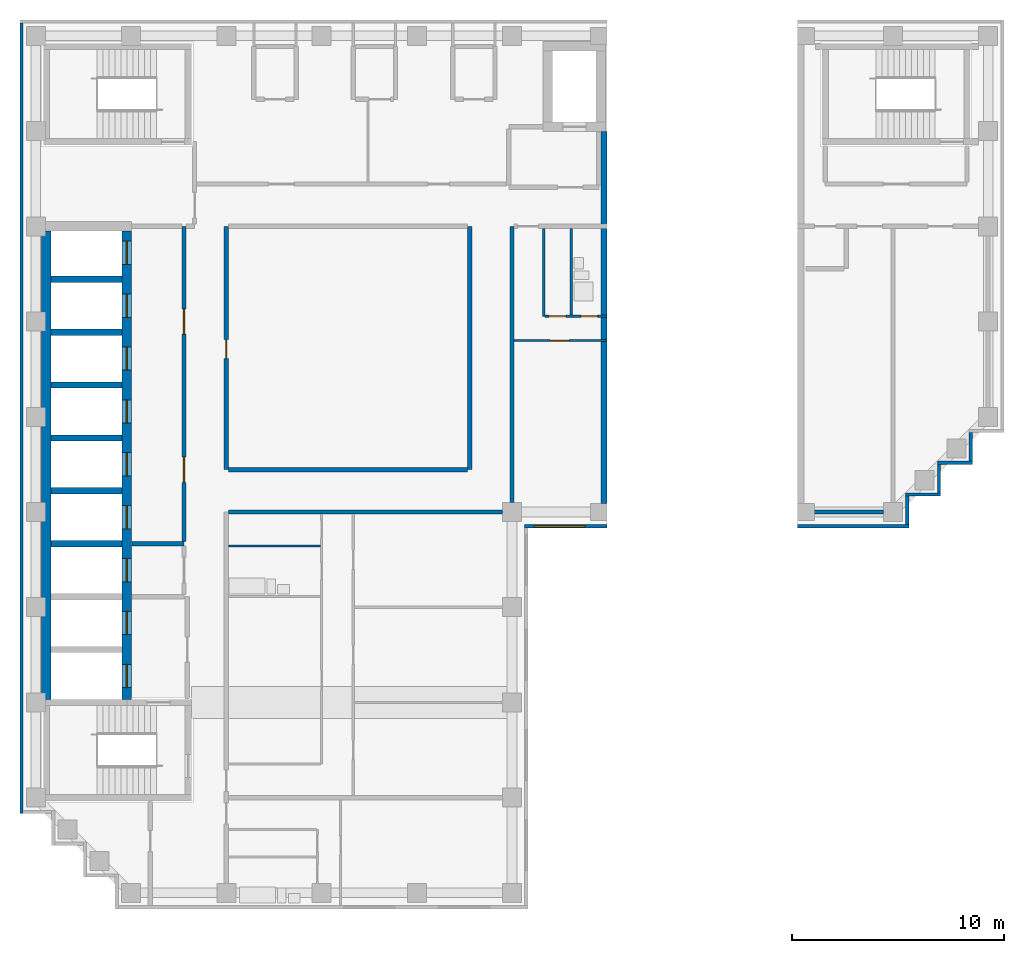
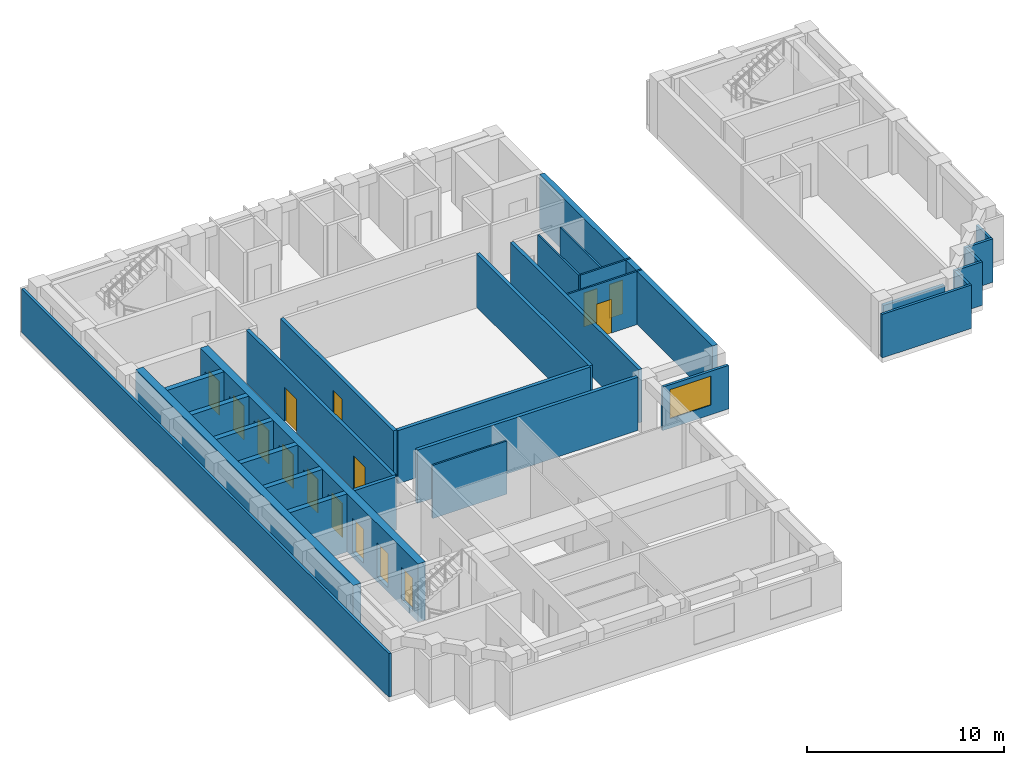
# One storey, part 3 of 7: 30 walls, 15 doors, 1 window, 16 openings.
"""IFC4 building model written with IfcOpenShell, lengths in metres."""

from ifc_helpers import new_model, si_unit, direction, frame, frame_2d, origin, place, context, subcontext, project, spatial, rectangle, extrude, material, layer, layer_set, type_object, element, fill, save


model = new_model("IFC4")

# Units and contexts
model_context = context("Model", 3, precision=1e-05, world=origin(), true_north=direction((0.0, 1.0)))
body_context = subcontext(model_context, "Body", "Model", "MODEL_VIEW")
ifc_project = project(units=[si_unit("LENGTHUNIT", "METRE"), si_unit("AREAUNIT", "SQUARE_METRE"), si_unit("VOLUMEUNIT", "CUBIC_METRE"), si_unit("PLANEANGLEUNIT", "RADIAN"), si_unit("MASSUNIT", "GRAM", prefix="KILO")], contexts=[model_context])

# Site, building, storey
site_placement = place(None, origin())
site = spatial("IfcSite", under=ifc_project, at=site_placement, CompositionType="ELEMENT")
building_placement = place(site_placement, origin())
building = spatial("IfcBuilding", under=site, at=building_placement, Name="Firuza Court", CompositionType="ELEMENT")
storey_placement = place(building_placement, frame((0.0, 0.0, 243.800048828125)))
storey = spatial("IfcBuildingStorey", under=building, at=storey_placement, Name="L63", CompositionType="ELEMENT", Elevation=243.800048828125)

# Walls
ifc_material_1 = material(Name="Moisture-resistant gypsum board partition")
ifc_layer_1 = layer(ifc_material_1, 0.10009765625)
ifc_layer_set_1 = layer_set([ifc_layer_1], Name="Moisture-resistant gypsum board partition")
wall_type_1 = type_object("IfcWallType", Name="Bathroom partition 100", PredefinedType="PLUMBINGWALL", material=ifc_layer_set_1)
wall_1_placement = place(storey_placement, frame((9.10009765625, 34.39990234375, 0.0), z_axis=(0.0, 0.0, 1.0), x_axis=(1.0, 0.0, 0.0)))
element("IfcWall", 1, at=wall_1_placement, inside=storey, type_object=wall_type_1, Name="Bathroom partition 100 L63", PredefinedType="PLUMBINGWALL", context=body_context, shape_type="SweptSolid", body=[
    extrude(rectangle(XDim=4.349853515625, YDim=0.10009765625, at=frame_2d((2.1748046875, 0.0))), origin(), (0.0, 0.0, 1.0), 3.300048828125),
])
wall_2_placement = place(storey_placement, frame((25.300048828125, 45.300048828125, 0.0), z_axis=(0.0, 0.0, 1.0), x_axis=(0.0, 1.0, 0.0)))
element("IfcWall", 2, at=wall_2_placement, inside=storey, type_object=wall_type_1, Name="Bathroom partition 100 L63", PredefinedType="PLUMBINGWALL", context=body_context, shape_type="SweptSolid", body=[
    extrude(rectangle(XDim=4.099853515625, YDim=0.10009765625, at=frame_2d((2.0498046875, 0.0))), origin(), (0.0, 0.0, 1.0), 3.300048828125),
])
ifc_material_2 = material(Name="Concrete C50/60", Category="concrete")
ifc_layer_2 = layer(ifc_material_2, 0.300048828125)
ifc_layer_set_2 = layer_set([ifc_layer_2], Name="Concrete C50/60")
wall_type_2 = type_object("IfcWallType", Name="Core wall 300 C50/60", PredefinedType="SHEAR", material=ifc_layer_set_2)
for number, where, z_axis, x_axis, name in (
    (3, (0.72509765625, 34.5, -0.300048828125), (0.0, 0.0, 1.0), (1.0, 0.0, 0.0), "Core wall lift shaft L63"),
    (4, (0.72509765625, 37.0, -0.300048828125), (0.0, 0.0, 1.0), (1.0, 0.0, 0.0), "Core wall lift shaft L63"),
    (5, (0.72509765625, 39.5, -0.300048828125), (0.0, 0.0, 1.0), (1.0, 0.0, 0.0), "Core wall lift shaft L63"),
    (6, (0.72509765625, 42.0, -0.300048828125), (0.0, 0.0, 1.0), (1.0, 0.0, 0.0), "Core wall lift shaft L63"),
    (7, (0.72509765625, 44.5, -0.300048828125), (0.0, 0.0, 1.0), (1.0, 0.0, 0.0), "Core wall lift shaft L63"),
    (8, (0.72509765625, 47.0, -0.300048828125), (0.0, 0.0, 1.0), (1.0, 0.0, 0.0), "Core wall lift shaft L63"),
):
    element("IfcWall", number, at=place(storey_placement, frame(where, z_axis=z_axis, x_axis=x_axis)), inside=storey, type_object=wall_type_2, Name=name, PredefinedType="SHEAR", context=body_context, shape_type="SweptSolid", body=[
        extrude(rectangle(XDim=3.349853515625, YDim=0.300048828125, at=frame_2d((1.6748046875, 0.0))), origin(), (0.0, 0.0, 1.0), 3.60009765625),
    ])
ifc_layer_3 = layer(ifc_material_2, 0.449951171875)
ifc_layer_set_3 = layer_set([ifc_layer_3], Name="Concrete C50/60")
wall_type_3 = type_object("IfcWallType", Name="Core wall 450 C50/60", PredefinedType="SHEAR", material=ifc_layer_set_3)
wall_3_placement = place(storey_placement, frame((0.5, 27.14990234375, -0.300048828125), z_axis=(0.0, 0.0, 1.0), x_axis=(0.0, 1.0, 0.0)))
element("IfcWall", 9, at=wall_3_placement, inside=storey, type_object=wall_type_3, Name="Core wall lift shaft L63", PredefinedType="SHEAR", context=body_context, shape_type="SweptSolid", body=[
    extrude(rectangle(XDim=22.125, YDim=0.449951171875, at=frame_2d((11.0625, 0.0))), origin(), (0.0, 0.0, 1.0), 3.60009765625),
])

# Wall, openings, doors
wall_4_placement = place(storey_placement, frame((4.300048828125, 27.14990234375, -0.300048828125), z_axis=(0.0, 0.0, 1.0), x_axis=(0.0, 1.0, 0.0)))
wall_4 = element("IfcWall", 10, at=wall_4_placement, inside=storey, type_object=wall_type_3, Name="Core wall lift shaft L63", PredefinedType="SHEAR", context=body_context, shape_type="SweptSolid", body=[
    extrude(rectangle(XDim=22.125, YDim=0.449951171875, at=frame_2d((11.0625, 0.0))), origin(), (0.0, 0.0, 1.0), 3.60009765625),
])
opening_1_placement = place(wall_4_placement, frame((3.050048828125, 0.0, 0.300048828125)))
opening_1 = element("IfcOpeningElement", 11, at=opening_1_placement, cuts=wall_4, Name="Opening LD-FL1-63", PredefinedType="OPENING", context=body_context, shape_type="SweptSolid", body=[
    extrude(rectangle(XDim=1.10009765625, YDim=2.10009765625, at=frame_2d((0.550048828125, 1.050048828125))), frame((0.0, 0.23681640625, 0.0), z_axis=(0.0, -1.0, 0.0), x_axis=(1.0, 0.0, 0.0)), (0.0, 0.0, 1.0), 0.473876953125),
])
opening_2_placement = place(wall_4_placement, frame((0.550048828125, 0.0, 0.300048828125)))
opening_2 = element("IfcOpeningElement", 12, at=opening_2_placement, cuts=wall_4, Name="Opening LD-FL2-63", PredefinedType="OPENING", context=body_context, shape_type="SweptSolid", body=[
    extrude(rectangle(XDim=1.10009765625, YDim=2.10009765625, at=frame_2d((0.550048828125, 1.050048828125))), frame((0.0, 0.23681640625, 0.0), z_axis=(0.0, -1.0, 0.0), x_axis=(1.0, 0.0, 0.0)), (0.0, 0.0, 1.0), 0.473876953125),
])
opening_3_placement = place(wall_4_placement, frame((20.550048828125, 0.0, 0.300048828125)))
opening_3 = element("IfcOpeningElement", 13, at=opening_3_placement, cuts=wall_4, Name="Opening LD-HB1-63", PredefinedType="OPENING", context=body_context, shape_type="SweptSolid", body=[
    extrude(rectangle(XDim=1.10009765625, YDim=2.10009765625, at=frame_2d((0.550048828125, 1.050048828125))), frame((0.0, 0.23681640625, 0.0), z_axis=(0.0, -1.0, 0.0), x_axis=(1.0, 0.0, 0.0)), (0.0, 0.0, 1.0), 0.473876953125),
])
opening_4_placement = place(wall_4_placement, frame((18.050048828125, 0.0, 0.300048828125)))
opening_4 = element("IfcOpeningElement", 14, at=opening_4_placement, cuts=wall_4, Name="Opening LD-HB2-63", PredefinedType="OPENING", context=body_context, shape_type="SweptSolid", body=[
    extrude(rectangle(XDim=1.10009765625, YDim=2.10009765625, at=frame_2d((0.550048828125, 1.050048828125))), frame((0.0, 0.23681640625, 0.0), z_axis=(0.0, -1.0, 0.0), x_axis=(1.0, 0.0, 0.0)), (0.0, 0.0, 1.0), 0.473876953125),
])
opening_5_placement = place(wall_4_placement, frame((15.550048828125, 0.0, 0.300048828125)))
opening_5 = element("IfcOpeningElement", 15, at=opening_5_placement, cuts=wall_4, Name="Opening LD-HB3-63", PredefinedType="OPENING", context=body_context, shape_type="SweptSolid", body=[
    extrude(rectangle(XDim=1.10009765625, YDim=2.10009765625, at=frame_2d((0.550048828125, 1.050048828125))), frame((0.0, 0.23681640625, 0.0), z_axis=(0.0, -1.0, 0.0), x_axis=(1.0, 0.0, 0.0)), (0.0, 0.0, 1.0), 0.473876953125),
])
opening_6_placement = place(wall_4_placement, frame((13.050048828125, 0.0, 0.300048828125)))
opening_6 = element("IfcOpeningElement", 16, at=opening_6_placement, cuts=wall_4, Name="Opening LD-HB4-63", PredefinedType="OPENING", context=body_context, shape_type="SweptSolid", body=[
    extrude(rectangle(XDim=1.10009765625, YDim=2.10009765625, at=frame_2d((0.550048828125, 1.050048828125))), frame((0.0, 0.23681640625, 0.0), z_axis=(0.0, -1.0, 0.0), x_axis=(1.0, 0.0, 0.0)), (0.0, 0.0, 1.0), 0.473876953125),
])
opening_7_placement = place(wall_4_placement, frame((10.550048828125, 0.0, 0.300048828125)))
opening_7 = element("IfcOpeningElement", 17, at=opening_7_placement, cuts=wall_4, Name="Opening LD-HB5-63", PredefinedType="OPENING", context=body_context, shape_type="SweptSolid", body=[
    extrude(rectangle(XDim=1.10009765625, YDim=2.10009765625, at=frame_2d((0.550048828125, 1.050048828125))), frame((0.0, 0.23681640625, 0.0), z_axis=(0.0, -1.0, 0.0), x_axis=(1.0, 0.0, 0.0)), (0.0, 0.0, 1.0), 0.473876953125),
])
opening_8_placement = place(wall_4_placement, frame((8.050048828125, 0.0, 0.300048828125)))
opening_8 = element("IfcOpeningElement", 18, at=opening_8_placement, cuts=wall_4, Name="Opening LD-HB6-63", PredefinedType="OPENING", context=body_context, shape_type="SweptSolid", body=[
    extrude(rectangle(XDim=1.10009765625, YDim=2.10009765625, at=frame_2d((0.550048828125, 1.050048828125))), frame((0.0, 0.23681640625, 0.0), z_axis=(0.0, -1.0, 0.0), x_axis=(1.0, 0.0, 0.0)), (0.0, 0.0, 1.0), 0.473876953125),
])
opening_9_placement = place(wall_4_placement, frame((5.550048828125, 0.0, 0.300048828125)))
opening_9 = element("IfcOpeningElement", 19, at=opening_9_placement, cuts=wall_4, Name="Opening LD-SL1-63", PredefinedType="OPENING", context=body_context, shape_type="SweptSolid", body=[
    extrude(rectangle(XDim=1.10009765625, YDim=2.10009765625, at=frame_2d((0.550048828125, 1.050048828125))), frame((0.0, 0.23681640625, 0.0), z_axis=(0.0, -1.0, 0.0), x_axis=(1.0, 0.0, 0.0)), (0.0, 0.0, 1.0), 0.473876953125),
])
ifc_material_3 = material(Name="Stainless steel 1.4301 door leaf", Category="steel")
door_type_1 = type_object("IfcDoorType", Name="Lift landing door 1100", OperationType="SLIDING_TO_LEFT", PredefinedType="DOOR", material=ifc_material_3)
door_1_placement = place(opening_1_placement, origin())
door_1 = element("IfcDoor", 20, at=door_1_placement, inside=storey, type_object=door_type_1, Name="Landing door FL1", OperationType="SLIDING_TO_LEFT", OverallHeight=2.10009765625, OverallWidth=1.10009765625, PredefinedType="DOOR", context=body_context, shape_type="SweptSolid", body=[
    extrude(rectangle(XDim=1.10009765625, YDim=2.10009765625, at=frame_2d((0.550048828125, 1.050048828125))), frame((0.0, 0.02490234375, 0.0), z_axis=(0.0, -1.0, 0.0), x_axis=(1.0, 0.0, 0.0)), (0.0, 0.0, 1.0), 0.050048828125),
])
fill(opening_1, door_1)
door_2_placement = place(opening_2_placement, origin())
door_2 = element("IfcDoor", 21, at=door_2_placement, inside=storey, type_object=door_type_1, Name="Landing door FL2", OperationType="SLIDING_TO_LEFT", OverallHeight=2.10009765625, OverallWidth=1.10009765625, PredefinedType="DOOR", context=body_context, shape_type="SweptSolid", body=[
    extrude(rectangle(XDim=1.10009765625, YDim=2.10009765625, at=frame_2d((0.550048828125, 1.050048828125))), frame((0.0, 0.02490234375, 0.0), z_axis=(0.0, -1.0, 0.0), x_axis=(1.0, 0.0, 0.0)), (0.0, 0.0, 1.0), 0.050048828125),
])
fill(opening_2, door_2)
door_3_placement = place(opening_3_placement, origin())
door_3 = element("IfcDoor", 22, at=door_3_placement, inside=storey, type_object=door_type_1, Name="Landing door HB1", OperationType="SLIDING_TO_LEFT", OverallHeight=2.10009765625, OverallWidth=1.10009765625, PredefinedType="DOOR", context=body_context, shape_type="SweptSolid", body=[
    extrude(rectangle(XDim=1.10009765625, YDim=2.10009765625, at=frame_2d((0.550048828125, 1.050048828125))), frame((0.0, 0.02490234375, 0.0), z_axis=(0.0, -1.0, 0.0), x_axis=(1.0, 0.0, 0.0)), (0.0, 0.0, 1.0), 0.050048828125),
])
fill(opening_3, door_3)
door_4_placement = place(opening_4_placement, origin())
door_4 = element("IfcDoor", 23, at=door_4_placement, inside=storey, type_object=door_type_1, Name="Landing door HB2", OperationType="SLIDING_TO_LEFT", OverallHeight=2.10009765625, OverallWidth=1.10009765625, PredefinedType="DOOR", context=body_context, shape_type="SweptSolid", body=[
    extrude(rectangle(XDim=1.10009765625, YDim=2.10009765625, at=frame_2d((0.550048828125, 1.050048828125))), frame((0.0, 0.02490234375, 0.0), z_axis=(0.0, -1.0, 0.0), x_axis=(1.0, 0.0, 0.0)), (0.0, 0.0, 1.0), 0.050048828125),
])
fill(opening_4, door_4)
door_5_placement = place(opening_5_placement, origin())
door_5 = element("IfcDoor", 24, at=door_5_placement, inside=storey, type_object=door_type_1, Name="Landing door HB3", OperationType="SLIDING_TO_LEFT", OverallHeight=2.10009765625, OverallWidth=1.10009765625, PredefinedType="DOOR", context=body_context, shape_type="SweptSolid", body=[
    extrude(rectangle(XDim=1.10009765625, YDim=2.10009765625, at=frame_2d((0.550048828125, 1.050048828125))), frame((0.0, 0.02490234375, 0.0), z_axis=(0.0, -1.0, 0.0), x_axis=(1.0, 0.0, 0.0)), (0.0, 0.0, 1.0), 0.050048828125),
])
fill(opening_5, door_5)
door_6_placement = place(opening_6_placement, origin())
door_6 = element("IfcDoor", 25, at=door_6_placement, inside=storey, type_object=door_type_1, Name="Landing door HB4", OperationType="SLIDING_TO_LEFT", OverallHeight=2.10009765625, OverallWidth=1.10009765625, PredefinedType="DOOR", context=body_context, shape_type="SweptSolid", body=[
    extrude(rectangle(XDim=1.10009765625, YDim=2.10009765625, at=frame_2d((0.550048828125, 1.050048828125))), frame((0.0, 0.02490234375, 0.0), z_axis=(0.0, -1.0, 0.0), x_axis=(1.0, 0.0, 0.0)), (0.0, 0.0, 1.0), 0.050048828125),
])
fill(opening_6, door_6)
door_7_placement = place(opening_7_placement, origin())
door_7 = element("IfcDoor", 26, at=door_7_placement, inside=storey, type_object=door_type_1, Name="Landing door HB5", OperationType="SLIDING_TO_LEFT", OverallHeight=2.10009765625, OverallWidth=1.10009765625, PredefinedType="DOOR", context=body_context, shape_type="SweptSolid", body=[
    extrude(rectangle(XDim=1.10009765625, YDim=2.10009765625, at=frame_2d((0.550048828125, 1.050048828125))), frame((0.0, 0.02490234375, 0.0), z_axis=(0.0, -1.0, 0.0), x_axis=(1.0, 0.0, 0.0)), (0.0, 0.0, 1.0), 0.050048828125),
])
fill(opening_7, door_7)
door_8_placement = place(opening_8_placement, origin())
door_8 = element("IfcDoor", 27, at=door_8_placement, inside=storey, type_object=door_type_1, Name="Landing door HB6", OperationType="SLIDING_TO_LEFT", OverallHeight=2.10009765625, OverallWidth=1.10009765625, PredefinedType="DOOR", context=body_context, shape_type="SweptSolid", body=[
    extrude(rectangle(XDim=1.10009765625, YDim=2.10009765625, at=frame_2d((0.550048828125, 1.050048828125))), frame((0.0, 0.02490234375, 0.0), z_axis=(0.0, -1.0, 0.0), x_axis=(1.0, 0.0, 0.0)), (0.0, 0.0, 1.0), 0.050048828125),
])
fill(opening_8, door_8)
door_9_placement = place(opening_9_placement, origin())
door_9 = element("IfcDoor", 28, at=door_9_placement, inside=storey, type_object=door_type_1, Name="Landing door SL1", OperationType="SLIDING_TO_LEFT", OverallHeight=2.10009765625, OverallWidth=1.10009765625, PredefinedType="DOOR", context=body_context, shape_type="SweptSolid", body=[
    extrude(rectangle(XDim=1.10009765625, YDim=2.10009765625, at=frame_2d((0.550048828125, 1.050048828125))), frame((0.0, 0.02490234375, 0.0), z_axis=(0.0, -1.0, 0.0), x_axis=(1.0, 0.0, 0.0)), (0.0, 0.0, 1.0), 0.050048828125),
])
fill(opening_9, door_9)

# Wall, opening, door
ifc_material_4 = material(Name="Blockwork, plastered both sides", Category="masonry")
ifc_layer_4 = layer(ifc_material_4, 0.199951171875)
ifc_layer_set_4 = layer_set([ifc_layer_4], Name="Blockwork, plastered both sides")
wall_type_4 = type_object("IfcWallType", Name="Corridor wall 200", PredefinedType="PARTITIONING", material=ifc_layer_set_4)
wall_5_placement = place(storey_placement, frame((9.0, 38.0, 0.0), z_axis=(0.0, 0.0, 1.0), x_axis=(0.0, 1.0, 0.0)))
wall_5 = element("IfcWall", 29, at=wall_5_placement, inside=storey, type_object=wall_type_4, Name="Corridor wall 200 L63", PredefinedType="PARTITIONING", context=body_context, shape_type="SweptSolid", body=[
    extrude(rectangle(XDim=11.5, YDim=0.199951171875, at=frame_2d((5.75, 0.0))), origin(), (0.0, 0.0, 1.0), 3.300048828125),
])
opening_10_placement = place(wall_5_placement, frame((5.25, 0.0, 0.0)))
opening_10 = element("IfcOpeningElement", 30, at=opening_10_placement, cuts=wall_5, Name="Opening D63024", PredefinedType="OPENING", context=body_context, shape_type="SweptSolid", body=[
    extrude(rectangle(XDim=0.89990234375, YDim=2.10009765625, at=frame_2d((0.449951171875, 1.050048828125))), frame((0.0, 0.11181640625, 0.0), z_axis=(0.0, -1.0, 0.0), x_axis=(1.0, 0.0, 0.0)), (0.0, 0.0, 1.0), 0.223876953125),
])
ifc_material_5 = material(Name="Timber door leaf in hardwood frame", Category="wood")
door_type_2 = type_object("IfcDoorType", Name="Room door 900 EI 30", OperationType="SINGLE_SWING_LEFT", PredefinedType="DOOR", material=ifc_material_5)
door_10_placement = place(opening_10_placement, origin())
door_10 = element("IfcDoor", 31, at=door_10_placement, inside=storey, type_object=door_type_2, Name="Residents' club lounge door", OperationType="SINGLE_SWING_LEFT", OverallHeight=2.10009765625, OverallWidth=0.89990234375, PredefinedType="DOOR", context=body_context, shape_type="SweptSolid", body=[
    extrude(rectangle(XDim=0.89990234375, YDim=2.10009765625, at=frame_2d((0.449951171875, 1.050048828125))), frame((0.0, 0.02490234375, 0.0), z_axis=(0.0, -1.0, 0.0), x_axis=(1.0, 0.0, 0.0)), (0.0, 0.0, 1.0), 0.050048828125),
])
fill(opening_10, door_10)

# Walls
wall_6_placement = place(storey_placement, frame((9.10009765625, 38.0, 0.0), z_axis=(0.0, 0.0, 1.0), x_axis=(1.0, 0.0, 0.0)))
element("IfcWall", 32, at=wall_6_placement, inside=storey, type_object=wall_type_4, Name="Corridor wall 200 L63", PredefinedType="PARTITIONING", context=body_context, shape_type="SweptSolid", body=[
    extrude(rectangle(XDim=11.2998046875, YDim=0.199951171875, at=frame_2d((5.64990234375, 0.0))), origin(), (0.0, 0.0, 1.0), 3.300048828125),
])
wall_7_placement = place(storey_placement, frame((20.5, 38.0, 0.0), z_axis=(0.0, 0.0, 1.0), x_axis=(0.0, 1.0, 0.0)))
element("IfcWall", 33, at=wall_7_placement, inside=storey, type_object=wall_type_4, Name="Corridor wall 200 L63", PredefinedType="PARTITIONING", context=body_context, shape_type="SweptSolid", body=[
    extrude(rectangle(XDim=11.5, YDim=0.199951171875, at=frame_2d((5.75, 0.0))), origin(), (0.0, 0.0, 1.0), 3.300048828125),
])

# Wall, opening, door
ifc_material_6 = material(Name="Timber stud partition, plasterboard both sides", Category="wood")
ifc_layer_5 = layer(ifc_material_6, 0.10009765625)
ifc_layer_set_5 = layer_set([ifc_layer_5], Name="Timber stud partition, plasterboard both sides")
wall_type_5 = type_object("IfcWallType", Name="Partition wall 100", PredefinedType="PARTITIONING", material=ifc_layer_set_5)
wall_8_placement = place(storey_placement, frame((22.60009765625, 44.10009765625, 0.0), z_axis=(0.0, 0.0, 1.0), x_axis=(1.0, 0.0, 0.0)))
wall_8 = element("IfcWall", 34, at=wall_8_placement, inside=storey, type_object=wall_type_5, Name="Partition wall 100 L63", PredefinedType="PARTITIONING", context=body_context, shape_type="SweptSolid", body=[
    extrude(rectangle(XDim=4.39990234375, YDim=0.10009765625, at=frame_2d((2.199951171875, 0.0))), origin(), (0.0, 0.0, 1.0), 3.300048828125),
])
opening_11_placement = place(wall_8_placement, frame((1.699951171875, 0.0, 0.0)))
opening_11 = element("IfcOpeningElement", 35, at=opening_11_placement, cuts=wall_8, Name="Opening D63025", PredefinedType="OPENING", context=body_context, shape_type="SweptSolid", body=[
    extrude(rectangle(XDim=0.89990234375, YDim=2.10009765625, at=frame_2d((0.449951171875, 1.050048828125))), frame((0.0, 0.06201171875, 0.0), z_axis=(0.0, -1.0, 0.0), x_axis=(1.0, 0.0, 0.0)), (0.0, 0.0, 1.0), 0.1240234375),
])
ifc_material_7 = material(Name="Timber door leaf in hardwood frame", Category="wood")
door_type_3 = type_object("IfcDoorType", Name="Room door 900", OperationType="SINGLE_SWING_LEFT", PredefinedType="DOOR", material=ifc_material_7)
door_11_placement = place(opening_11_placement, frame((0.89990234375, 0.0, 0.0), z_axis=(0.0, 0.0, 1.0), x_axis=(-1.0, 0.0, 0.0)))
door_11 = element("IfcDoor", 36, at=door_11_placement, inside=storey, type_object=door_type_3, Name="Studio room door", OperationType="SINGLE_SWING_LEFT", OverallHeight=2.10009765625, OverallWidth=0.89990234375, PredefinedType="DOOR", context=body_context, shape_type="SweptSolid", body=[
    extrude(rectangle(XDim=0.89990234375, YDim=2.10009765625, at=frame_2d((0.449951171875, 1.050048828125))), frame((0.0, 0.02490234375, 0.0), z_axis=(0.0, -1.0, 0.0), x_axis=(1.0, 0.0, 0.0)), (0.0, 0.0, 1.0), 0.050048828125),
])
fill(opening_11, door_11)

# Wall
wall_9_placement = place(storey_placement, frame((24.0, 45.25, 0.0), z_axis=(0.0, 0.0, 1.0), x_axis=(0.0, 1.0, 0.0)))
element("IfcWall", 37, at=wall_9_placement, inside=storey, type_object=wall_type_5, Name="Partition wall 100 L63", PredefinedType="PARTITIONING", context=body_context, shape_type="SweptSolid", body=[
    extrude(rectangle(XDim=4.14990234375, YDim=0.10009765625, at=frame_2d((2.074951171875, 0.0))), origin(), (0.0, 0.0, 1.0), 3.300048828125),
])

# Wall, openings, doors
wall_10_placement = place(storey_placement, frame((24.050048828125, 45.25, 0.0), z_axis=(0.0, 0.0, 1.0), x_axis=(1.0, 0.0, 0.0)))
wall_10 = element("IfcWall", 38, at=wall_10_placement, inside=storey, type_object=wall_type_5, Name="Partition wall 100 L63", PredefinedType="PARTITIONING", context=body_context, shape_type="SweptSolid", body=[
    extrude(rectangle(XDim=2.949951171875, YDim=0.10009765625, at=frame_2d((1.47509765625, 0.0))), origin(), (0.0, 0.0, 1.0), 3.300048828125),
])
opening_12_placement = place(wall_10_placement, frame((1.699951171875, 0.0, 0.0)))
opening_12 = element("IfcOpeningElement", 39, at=opening_12_placement, cuts=wall_10, Name="Opening D63026", PredefinedType="OPENING", context=body_context, shape_type="SweptSolid", body=[
    extrude(rectangle(XDim=0.800048828125, YDim=2.10009765625, at=frame_2d((0.39990234375, 1.050048828125))), frame((0.0, 0.06201171875, 0.0), z_axis=(0.0, -1.0, 0.0), x_axis=(1.0, 0.0, 0.0)), (0.0, 0.0, 1.0), 0.1240234375),
])
opening_13_placement = place(wall_10_placement, frame((0.199951171875, 0.0, 0.0)))
opening_13 = element("IfcOpeningElement", 40, at=opening_13_placement, cuts=wall_10, Name="Opening D63027", PredefinedType="OPENING", context=body_context, shape_type="SweptSolid", body=[
    extrude(rectangle(XDim=0.800048828125, YDim=2.10009765625, at=frame_2d((0.39990234375, 1.050048828125))), frame((0.0, 0.06201171875, 0.0), z_axis=(0.0, -1.0, 0.0), x_axis=(1.0, 0.0, 0.0)), (0.0, 0.0, 1.0), 0.1240234375),
])
ifc_material_8 = material(Name="Timber door leaf in hardwood frame", Category="wood")
door_type_4 = type_object("IfcDoorType", Name="Bathroom door 800", OperationType="SINGLE_SWING_LEFT", PredefinedType="DOOR", material=ifc_material_8)
door_12_placement = place(opening_12_placement, origin())
door_12 = element("IfcDoor", 41, at=door_12_placement, inside=storey, type_object=door_type_4, Name="Bathroom door", OperationType="SINGLE_SWING_RIGHT", OverallHeight=2.10009765625, OverallWidth=0.800048828125, PredefinedType="DOOR", context=body_context, shape_type="SweptSolid", body=[
    extrude(rectangle(XDim=0.800048828125, YDim=2.10009765625, at=frame_2d((0.39990234375, 1.050048828125))), frame((0.0, 0.02490234375, 0.0), z_axis=(0.0, -1.0, 0.0), x_axis=(1.0, 0.0, 0.0)), (0.0, 0.0, 1.0), 0.050048828125),
])
fill(opening_12, door_12)
ifc_material_9 = material(Name="Timber door leaf in hardwood frame", Category="wood")
door_type_5 = type_object("IfcDoorType", Name="Room door 800", OperationType="SINGLE_SWING_LEFT", PredefinedType="DOOR", material=ifc_material_9)
door_13_placement = place(opening_13_placement, origin())
door_13 = element("IfcDoor", 42, at=door_13_placement, inside=storey, type_object=door_type_5, Name="Kitchen door", OperationType="SINGLE_SWING_LEFT", OverallHeight=2.10009765625, OverallWidth=0.800048828125, PredefinedType="DOOR", context=body_context, shape_type="SweptSolid", body=[
    extrude(rectangle(XDim=0.800048828125, YDim=2.10009765625, at=frame_2d((0.39990234375, 1.050048828125))), frame((0.0, 0.02490234375, 0.0), z_axis=(0.0, -1.0, 0.0), x_axis=(1.0, 0.0, 0.0)), (0.0, 0.0, 1.0), 0.050048828125),
])
fill(opening_13, door_13)

# Walls
ifc_layer_6 = layer(ifc_material_4, 0.199951171875)
ifc_layer_set_6 = layer_set([ifc_layer_6], Name="Blockwork, plastered both sides")
wall_type_6 = type_object("IfcWallType", Name="Party wall 200", PredefinedType="PARTITIONING", material=ifc_layer_set_6)
wall_11_placement = place(storey_placement, frame((9.10009765625, 36.0, 0.0), z_axis=(0.0, 0.0, 1.0), x_axis=(1.0, 0.0, 0.0)))
element("IfcWall", 43, at=wall_11_placement, inside=storey, type_object=wall_type_6, Name="Party wall 200 L63", PredefinedType="PARTITIONING", context=body_context, shape_type="SweptSolid", body=[
    extrude(rectangle(XDim=12.949951171875, YDim=0.199951171875, at=frame_2d((6.47509765625, 0.0))), origin(), (0.0, 0.0, 1.0), 3.300048828125),
])
wall_12_placement = place(storey_placement, frame((22.5, 36.449951171875, 0.0), z_axis=(0.0, 0.0, 1.0), x_axis=(0.0, 1.0, 0.0)))
element("IfcWall", 44, at=wall_12_placement, inside=storey, type_object=wall_type_6, Name="Party wall 200 L63", PredefinedType="PARTITIONING", context=body_context, shape_type="SweptSolid", body=[
    extrude(rectangle(XDim=13.050048828125, YDim=0.199951171875, at=frame_2d((6.52490234375, 0.0))), origin(), (0.0, 0.0, 1.0), 3.300048828125),
])
ifc_material_10 = material(Name="Blockwork, fire-rated", Category="masonry")
ifc_layer_7 = layer(ifc_material_10, 0.199951171875)
ifc_layer_set_7 = layer_set([ifc_layer_7], Name="Blockwork, fire-rated")
wall_type_7 = type_object("IfcWallType", Name="Plant room wall 200", PredefinedType="PARTITIONING", material=ifc_layer_set_7)
wall_13_placement = place(storey_placement, frame((36.449951171875, 36.0, 0.0), z_axis=(0.0, 0.0, 1.0), x_axis=(1.0, 0.0, 0.0)))
element("IfcWall", 45, at=wall_13_placement, inside=storey, type_object=wall_type_7, Name="Plant room wall 200 L63", PredefinedType="PARTITIONING", context=body_context, shape_type="SweptSolid", body=[
    extrude(rectangle(XDim=3.60009765625, YDim=0.199951171875, at=frame_2d((1.800048828125, 0.0))), origin(), (0.0, 0.0, 1.0), 2.699951171875),
])
ifc_material_11 = material(Name="Ceramic tile", Category="ceramic")
ifc_layer_8 = layer(ifc_material_11, 0.02001953125)
ifc_material_12 = material(Name="Mineral wool insulation", Category="insulation")
ifc_layer_9 = layer(ifc_material_12, 0.1298828125)
ifc_material_13 = material(Name="Concrete C40/50 precast", Category="concrete")
ifc_layer_10 = layer(ifc_material_13, 0.14990234375)
ifc_layer_set_8 = layer_set([ifc_layer_8, ifc_layer_9, ifc_layer_10], Name="Concrete C40/50 precast")
wall_type_8 = type_object("IfcWallType", Name="Portal reveal wall 300", PredefinedType="STANDARD", material=ifc_layer_set_8)
wall_14_placement = place(storey_placement, frame((26.85009765625, 36.39990234375, 0.0), z_axis=(0.0, 0.0, 1.0), x_axis=(0.0, 1.0, 0.0)))
element("IfcWall", 46, at=wall_14_placement, inside=storey, type_object=wall_type_8, Name="Portal reveal wall L63 W", PredefinedType="STANDARD", context=body_context, shape_type="SweptSolid", body=[
    extrude(rectangle(XDim=17.5751953125, YDim=0.300048828125, at=frame_2d((8.78759765625, 0.0))), origin(), (0.0, 0.0, 1.0), 3.300048828125),
])

# Wall, opening, window
ifc_layer_11 = layer(ifc_material_11, 0.02001953125)
ifc_layer_12 = layer(ifc_material_12, 0.050048828125)
ifc_layer_13 = layer(ifc_material_13, 0.080078125)
ifc_layer_set_9 = layer_set([ifc_layer_11, ifc_layer_12, ifc_layer_13], Name="Concrete C40/50 precast")
wall_type_9 = type_object("IfcWallType", Name="Precast cladding wall with turquoise TILE PANEL face 150", PredefinedType="STANDARD", material=ifc_layer_set_9)
wall_15_placement = place(storey_placement, frame((23.10009765625, 35.324951171875, 0.0), z_axis=(0.0, 0.0, 1.0), x_axis=(1.0, 0.0, 0.0)))
wall_15 = element("IfcWall", 47, at=wall_15_placement, inside=storey, type_object=wall_type_9, Name="Facade wall L63 S", PredefinedType="STANDARD", context=body_context, shape_type="SweptSolid", body=[
    extrude(rectangle(XDim=3.89990234375, YDim=0.14990234375, at=frame_2d((1.949951171875, 0.0))), origin(), (0.0, 0.0, 1.0), 2.699951171875),
])
opening_14_placement = place(wall_15_placement, frame((0.449951171875, 0.0, 0.60009765625)))
opening_14 = element("IfcOpeningElement", 48, at=opening_14_placement, cuts=wall_15, Name="Opening W1", PredefinedType="OPENING", context=body_context, shape_type="SweptSolid", body=[
    extrude(rectangle(XDim=2.39990234375, YDim=1.800048828125, at=frame_2d((1.199951171875, 0.89990234375))), frame((0.0, 0.0869140625, 0.0), z_axis=(0.0, -1.0, 0.0), x_axis=(1.0, 0.0, 0.0)), (0.0, 0.0, 1.0), 0.173828125),
])
ifc_material_14 = material(Name="Aluminium frame, triple clear glazing", Category="aluminium")
window_type = type_object("IfcWindowType", Name="Window W1 2400 x 1800", PartitioningType="SINGLE_PANEL", PredefinedType="WINDOW", material=ifc_material_14)
window_placement = place(opening_14_placement, origin())
window = element("IfcWindow", 49, at=window_placement, inside=storey, type_object=window_type, Name="Window L63", OverallHeight=1.800048828125, OverallWidth=2.39990234375, PartitioningType="SINGLE_PANEL", PredefinedType="WINDOW", context=body_context, shape_type="SweptSolid", body=[
    extrude(rectangle(XDim=2.39990234375, YDim=1.800048828125, at=frame_2d((1.199951171875, 0.89990234375))), frame((0.0, 0.030029296875, 0.0), z_axis=(0.0, -1.0, 0.0), x_axis=(1.0, 0.0, 0.0)), (0.0, 0.0, 1.0), 0.06005859375),
])
fill(opening_14, window)

# Walls
wall_16_placement = place(storey_placement, frame((36.0, 35.324951171875, 0.0), z_axis=(0.0, 0.0, 1.0), x_axis=(1.0, 0.0, 0.0)))
element("IfcWall", 50, at=wall_16_placement, inside=storey, type_object=wall_type_9, Name="Facade wall L63 S", PredefinedType="STANDARD", context=body_context, shape_type="SweptSolid", body=[
    extrude(rectangle(XDim=5.25, YDim=0.14990234375, at=frame_2d((2.625, 0.0))), origin(), (0.0, 0.0, 1.0), 2.699951171875),
])
wall_17_placement = place(storey_placement, frame((41.175048828125, 35.39990234375, 0.0), z_axis=(0.0, 0.0, 1.0), x_axis=(0.0, 1.0, 0.0)))
element("IfcWall", 51, at=wall_17_placement, inside=storey, type_object=wall_type_9, Name="Facade wall L63 E", PredefinedType="STANDARD", context=body_context, shape_type="SweptSolid", body=[
    extrude(rectangle(XDim=1.35009765625, YDim=0.14990234375, at=frame_2d((0.675048828125, 0.0))), origin(), (0.0, 0.0, 1.0), 2.699951171875),
])
wall_18_placement = place(storey_placement, frame((41.10009765625, 36.824951171875, 0.0), z_axis=(0.0, 0.0, 1.0), x_axis=(1.0, 0.0, 0.0)))
element("IfcWall", 52, at=wall_18_placement, inside=storey, type_object=wall_type_9, Name="Facade wall L63 S", PredefinedType="STANDARD", context=body_context, shape_type="SweptSolid", body=[
    extrude(rectangle(XDim=1.64990234375, YDim=0.14990234375, at=frame_2d((0.824951171875, 0.0))), origin(), (0.0, 0.0, 1.0), 2.699951171875),
])
wall_19_placement = place(storey_placement, frame((42.675048828125, 36.89990234375, 0.0), z_axis=(0.0, 0.0, 1.0), x_axis=(0.0, 1.0, 0.0)))
element("IfcWall", 53, at=wall_19_placement, inside=storey, type_object=wall_type_9, Name="Facade wall L63 E", PredefinedType="STANDARD", context=body_context, shape_type="SweptSolid", body=[
    extrude(rectangle(XDim=1.35009765625, YDim=0.14990234375, at=frame_2d((0.675048828125, 0.0))), origin(), (0.0, 0.0, 1.0), 2.699951171875),
])
wall_20_placement = place(storey_placement, frame((42.60009765625, 38.324951171875, 0.0), z_axis=(0.0, 0.0, 1.0), x_axis=(1.0, 0.0, 0.0)))
element("IfcWall", 54, at=wall_20_placement, inside=storey, type_object=wall_type_9, Name="Facade wall L63 S", PredefinedType="STANDARD", context=body_context, shape_type="SweptSolid", body=[
    extrude(rectangle(XDim=1.64990234375, YDim=0.14990234375, at=frame_2d((0.824951171875, 0.0))), origin(), (0.0, 0.0, 1.0), 2.699951171875),
])
wall_21_placement = place(storey_placement, frame((44.175048828125, 38.39990234375, 0.0), z_axis=(0.0, 0.0, 1.0), x_axis=(0.0, 1.0, 0.0)))
element("IfcWall", 55, at=wall_21_placement, inside=storey, type_object=wall_type_9, Name="Facade wall L63 E", PredefinedType="STANDARD", context=body_context, shape_type="SweptSolid", body=[
    extrude(rectangle(XDim=1.35009765625, YDim=0.14990234375, at=frame_2d((0.675048828125, 0.0))), origin(), (0.0, 0.0, 1.0), 2.699951171875),
])
wall_22_placement = place(storey_placement, frame((-0.675048828125, 59.10009765625, 0.0), z_axis=(0.0, 0.0, 1.0), x_axis=(0.0, -1.0, 0.0)))
element("IfcWall", 56, at=wall_22_placement, inside=storey, type_object=wall_type_9, Name="Facade wall L63 W", PredefinedType="STANDARD", context=body_context, shape_type="SweptSolid", body=[
    extrude(rectangle(XDim=37.35009765625, YDim=0.14990234375, at=frame_2d((18.675048828125, 0.0))), origin(), (0.0, 0.0, 1.0), 2.699951171875),
])
ifc_layer_14 = layer(ifc_material_10, 0.199951171875)
ifc_layer_set_10 = layer_set([ifc_layer_14], Name="Blockwork, fire-rated")
wall_type_10 = type_object("IfcWallType", Name="Shaft wall 200", PredefinedType="PARTITIONING", material=ifc_layer_set_10)
wall_23_placement = place(storey_placement, frame((4.544921875, 34.5, 0.0), z_axis=(0.0, 0.0, 1.0), x_axis=(1.0, 0.0, 0.0)))
element("IfcWall", 57, at=wall_23_placement, inside=storey, type_object=wall_type_10, Name="Shaft wall 200 L63", PredefinedType="PARTITIONING", context=body_context, shape_type="SweptSolid", body=[
    extrude(rectangle(XDim=2.455078125, YDim=0.199951171875, at=frame_2d((1.2275390625, 0.0))), origin(), (0.0, 0.0, 1.0), 3.300048828125),
])

# Wall, openings, doors
wall_24_placement = place(storey_placement, frame((7.0, 34.60009765625, 0.0), z_axis=(0.0, 0.0, 1.0), x_axis=(0.0, 1.0, 0.0)))
wall_24 = element("IfcWall", 58, at=wall_24_placement, inside=storey, type_object=wall_type_10, Name="Shaft wall 200 L63", PredefinedType="PARTITIONING", context=body_context, shape_type="SweptSolid", body=[
    extrude(rectangle(XDim=14.89990234375, YDim=0.199951171875, at=frame_2d((7.449951171875, 0.0))), origin(), (0.0, 0.0, 1.0), 3.300048828125),
])
opening_15_placement = place(wall_24_placement, frame((2.800048828125, 0.0, 0.0)))
opening_15 = element("IfcOpeningElement", 59, at=opening_15_placement, cuts=wall_24, Name="Opening D63004", PredefinedType="OPENING", context=body_context, shape_type="SweptSolid", body=[
    extrude(rectangle(XDim=1.199951171875, YDim=2.10009765625, at=frame_2d((0.60009765625, 1.050048828125))), frame((0.0, 0.11181640625, 0.0), z_axis=(0.0, -1.0, 0.0), x_axis=(1.0, 0.0, 0.0)), (0.0, 0.0, 1.0), 0.223876953125),
])
opening_16_placement = place(wall_24_placement, frame((9.800048828125, 0.0, 0.0)))
opening_16 = element("IfcOpeningElement", 60, at=opening_16_placement, cuts=wall_24, Name="Opening D63005", PredefinedType="OPENING", context=body_context, shape_type="SweptSolid", body=[
    extrude(rectangle(XDim=1.199951171875, YDim=2.10009765625, at=frame_2d((0.60009765625, 1.050048828125))), frame((0.0, 0.11181640625, 0.0), z_axis=(0.0, -1.0, 0.0), x_axis=(1.0, 0.0, 0.0)), (0.0, 0.0, 1.0), 0.223876953125),
])
ifc_material_15 = material(Name="Timber door leaf in hardwood frame", Category="wood")
door_type_6 = type_object("IfcDoorType", Name="Lobby door 1200", OperationType="SINGLE_SWING_LEFT", PredefinedType="DOOR", material=ifc_material_15)
door_14_placement = place(opening_15_placement, origin())
door_14 = element("IfcDoor", 61, at=door_14_placement, inside=storey, type_object=door_type_6, Name="Lobby door", OperationType="SINGLE_SWING_LEFT", OverallHeight=2.10009765625, OverallWidth=1.199951171875, PredefinedType="DOOR", context=body_context, shape_type="SweptSolid", body=[
    extrude(rectangle(XDim=1.199951171875, YDim=2.10009765625, at=frame_2d((0.60009765625, 1.050048828125))), frame((0.0, 0.02490234375, 0.0), z_axis=(0.0, -1.0, 0.0), x_axis=(1.0, 0.0, 0.0)), (0.0, 0.0, 1.0), 0.050048828125),
])
fill(opening_15, door_14)
door_15_placement = place(opening_16_placement, origin())
door_15 = element("IfcDoor", 62, at=door_15_placement, inside=storey, type_object=door_type_6, Name="Lobby door", OperationType="SINGLE_SWING_RIGHT", OverallHeight=2.10009765625, OverallWidth=1.199951171875, PredefinedType="DOOR", context=body_context, shape_type="SweptSolid", body=[
    extrude(rectangle(XDim=1.199951171875, YDim=2.10009765625, at=frame_2d((0.60009765625, 1.050048828125))), frame((0.0, 0.02490234375, 0.0), z_axis=(0.0, -1.0, 0.0), x_axis=(1.0, 0.0, 0.0)), (0.0, 0.0, 1.0), 0.050048828125),
])
fill(opening_16, door_15)

save(model, "model.ifc")
